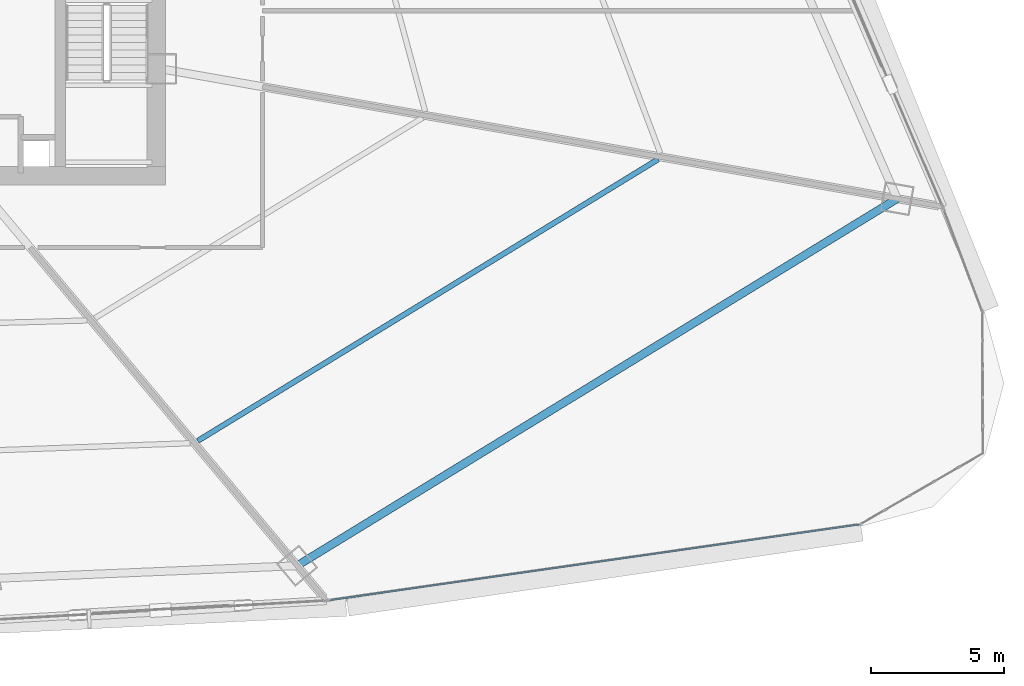
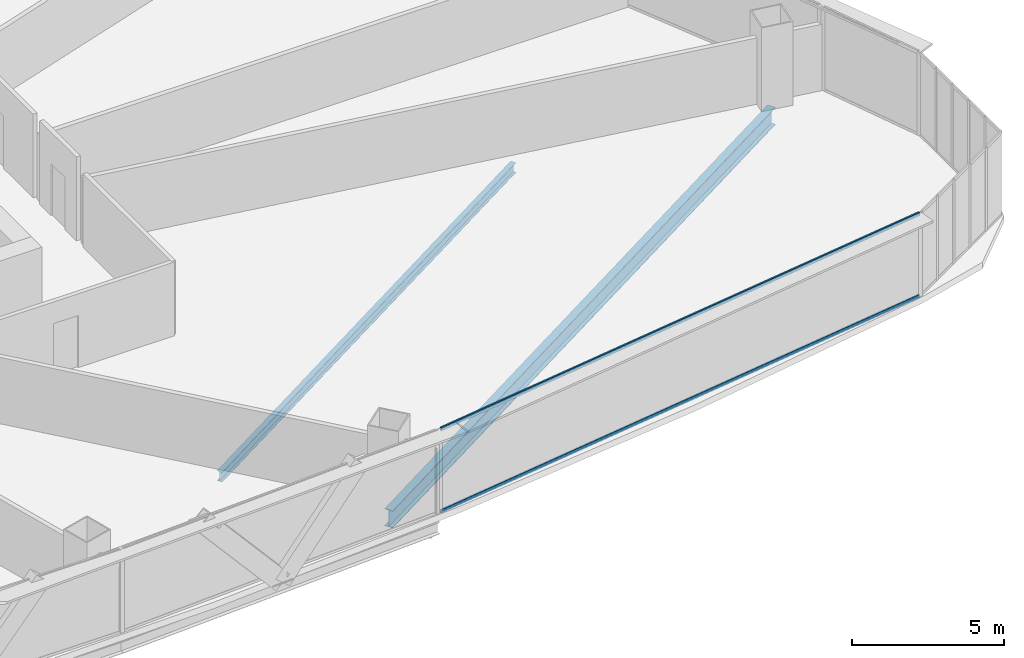
# One storey, part 21 of 42: 2 beams, 2 members, 1 element without a shape of its own.
"""IFC4 building model written with IfcOpenShell, lengths in metres."""

from ifc_helpers import new_model, si_unit, direction, frame, origin, origin_2d, place, context, subcontext, project, spatial, hollow_rectangle, i_section, extrude, source, transform, mapped, material, layer, layer_set, material_profile, profile_set, type_object, element, aggregate, save


model = new_model("IFC4")

# Units and contexts
model_context = context("Model", 3, precision=1e-05, world=origin(), true_north=direction((0.0, 1.0)))
body_context = subcontext(model_context, "Body", "Model", "MODEL_VIEW")
ifc_project = project(units=[si_unit("LENGTHUNIT", "METRE"), si_unit("AREAUNIT", "SQUARE_METRE"), si_unit("VOLUMEUNIT", "CUBIC_METRE"), si_unit("PLANEANGLEUNIT", "RADIAN"), si_unit("MASSUNIT", "GRAM", prefix="KILO"), si_unit("THERMODYNAMICTEMPERATUREUNIT", "KELVIN"), si_unit("POWERUNIT", "WATT")], contexts=[model_context])

# Site, building, storey
site_placement = place(None, origin())
site = spatial("IfcSite", under=ifc_project, at=site_placement, CompositionType="ELEMENT")
building_placement = place(site_placement, origin())
building = spatial("IfcBuilding", under=site, at=building_placement, Name="Yunzhuo Pagoda Commons", CompositionType="ELEMENT")
storey_placement = place(building_placement, frame((0.0, 0.0, 41.2900390625)))
storey = spatial("IfcBuildingStorey", under=building, at=storey_placement, Name="L10", CompositionType="ELEMENT", Elevation=41.2900390625)

# Beams
ifc_material_1 = material(Name="Structural steel Q355B", Category="steel")
ifc_material_profile_1 = material_profile(ifc_material_1, i_section(OverallWidth=0.300048828125, OverallDepth=0.699951171875, WebThickness=0.012939453125, FlangeThickness=0.02392578125, at=origin_2d()), Name="Structural steel Q355B")
ifc_profile_set_1 = profile_set([ifc_material_profile_1], Name="Structural steel Q355B")
beam_type_1 = type_object("IfcBeamType", Name="B-RG1 Beam HN 700x300x13x24", PredefinedType="BEAM", material=ifc_profile_set_1)
shared_shape_1 = source(origin(), body_context, "Body", "SweptSolid", [
    extrude(i_section(OverallWidth=0.300048828125, OverallDepth=0.699951171875, WebThickness=0.012939453125, FlangeThickness=0.02392578125, at=origin_2d()), origin(), (0.0, 0.0, 1.0), 26.432373046875),
])
beam_1_placement = place(storey_placement, frame((65.5, 12.844482421875, -0.610107421875), z_axis=(0.853031728928, 0.521859051318, 0.0), x_axis=(-0.521859051318, 0.853031728928, 0.0)))
element("IfcBeam", 1, at=beam_1_placement, inside=storey, type_object=beam_type_1, Name="L10 column-ring beam 4", PredefinedType="BEAM", context=body_context, shape_type="MappedRepresentation", body=[
    mapped(shared_shape_1, transform((0.0, 0.0, 0.0), scale=1.0)),
])
ifc_material_profile_2 = material_profile(ifc_material_1, i_section(OverallWidth=0.199951171875, OverallDepth=0.39990234375, WebThickness=0.008056640625, FlangeThickness=0.012939453125, at=origin_2d()), Name="Structural steel Q355B")
ifc_profile_set_2 = profile_set([ifc_material_profile_2], Name="Structural steel Q355B")
beam_type_2 = type_object("IfcBeamType", Name="B-JS1 Joist HN 400x200x8x13", PredefinedType="JOIST", material=ifc_profile_set_2)
shared_shape_2 = source(origin(), body_context, "Body", "SweptSolid", [
    extrude(i_section(OverallWidth=0.199951171875, OverallDepth=0.39990234375, WebThickness=0.008056640625, FlangeThickness=0.012939453125, at=origin_2d()), origin(), (0.0, 0.0, 1.0), 20.275634765625),
])
beam_2_placement = place(storey_placement, frame((61.767578125, 17.537109375, -0.4599609375), z_axis=(0.853102898066, 0.521742700295, 0.0), x_axis=(-0.521742700295, 0.853102898066, 0.0)))
element("IfcBeam", 2, at=beam_2_placement, inside=storey, type_object=beam_type_2, Name="L10 composite ring joist 2.4", PredefinedType="JOIST", context=body_context, shape_type="MappedRepresentation", body=[
    mapped(shared_shape_2, transform((0.0, 0.0, 0.0), scale=1.0)),
])

# Curtain wall, members
ifc_material_2 = material(Name="Anodized aluminium 6063-T6", Category="aluminium")
ifc_layer = layer(ifc_material_2, 0.1650390625)
ifc_layer_set = layer_set([ifc_layer], Name="Anodized aluminium 6063-T6")
curtain_wall_type = type_object("IfcCurtainWallType", Name="CW-LOW Low-Zone Ribbon Curtain Wall", PredefinedType="NOTDEFINED", material=ifc_layer_set)
curtain_wall_placement = place(storey_placement, origin())
curtain_wall = element("IfcCurtainWall", 3, at=curtain_wall_placement, inside=storey, type_object=curtain_wall_type, Name="L10 curtain wall CW-L10-F1B5", PredefinedType="NOTDEFINED")
ifc_material_profile_3 = material_profile(ifc_material_2, hollow_rectangle(XDim=0.06005859375, YDim=0.139892578125, WallThickness=0.00341796875, at=origin_2d()), Name="Anodized aluminium 6063-T6")
ifc_profile_set_3 = profile_set([ifc_material_profile_3], Name="Anodized aluminium 6063-T6")
member_type = type_object("IfcMemberType", Name="CW-LOW-T Transom RHS 140x60x3.5", PredefinedType="USERDEFINED", material=ifc_profile_set_3)
shared_shape_3 = source(origin(), body_context, "Body", "SweptSolid", [
    extrude(hollow_rectangle(XDim=0.06005859375, YDim=0.139892578125, WallThickness=0.00341796875, at=origin_2d()), origin(), (0.0, 0.0, 1.0), 20.066650390625),
])
member_1_placement = place(storey_placement, frame((66.739013671875, 11.552734375, 0.030029296875), z_axis=(0.989938784311, 0.141496301422, 0.0), x_axis=(-0.141496301422, 0.989938784311, 0.0)))
member_1 = element("IfcMember", 4, at=member_1_placement, type_object=member_type, Name="CW transom 1.1", ObjectType="TRANSOM", PredefinedType="USERDEFINED", context=body_context, shape_type="MappedRepresentation", body=[
    mapped(shared_shape_3, transform((0.0, 0.0, 0.0), scale=1.0)),
])
member_2_placement = place(storey_placement, frame((66.739013671875, 11.552734375, 3.33984375), z_axis=(0.989938784311, 0.141496301422, 0.0), x_axis=(-0.141496301422, 0.989938784311, 0.0)))
member_2 = element("IfcMember", 5, at=member_2_placement, type_object=member_type, Name="CW transom 1.2", ObjectType="TRANSOM", PredefinedType="USERDEFINED", context=body_context, shape_type="MappedRepresentation", body=[
    mapped(shared_shape_3, transform((0.0, 0.0, 0.0), scale=1.0)),
])
aggregate(curtain_wall, [member_1, member_2])

save(model, "model.ifc")
